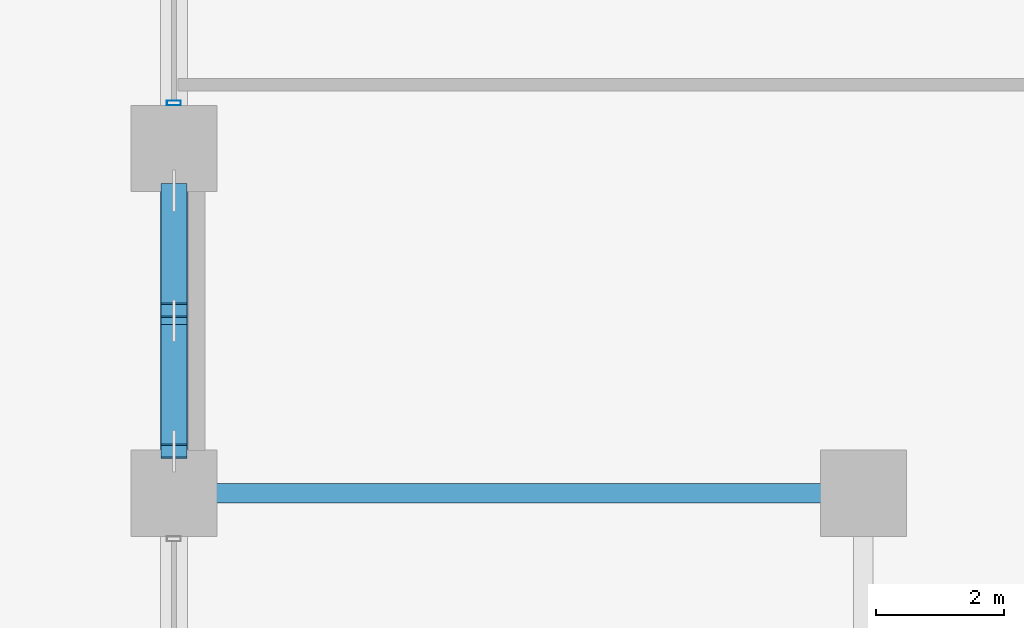
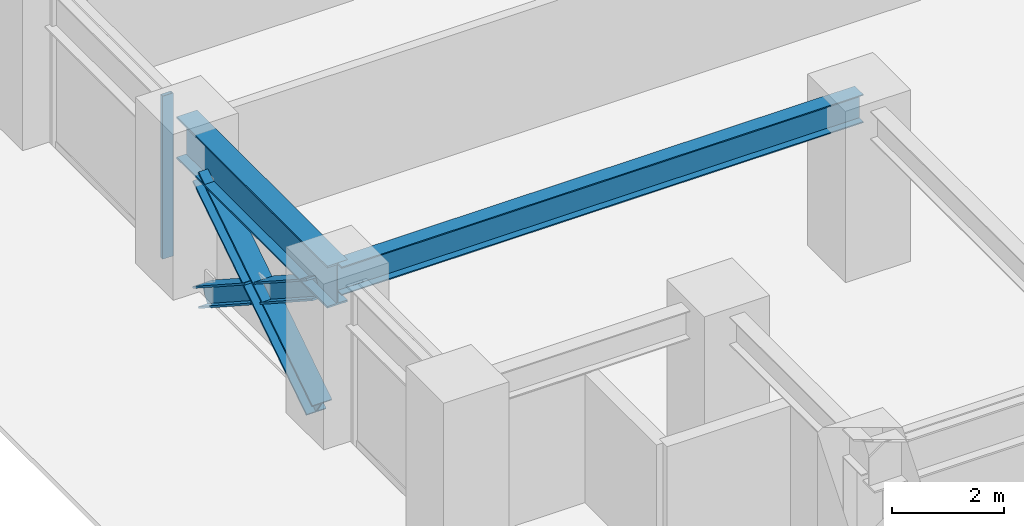
# One storey, part 3 of 27: 4 members, 2 beams, 1 element without a shape of its own.
"""IFC4 building model written with IfcOpenShell, lengths in metres."""

from ifc_helpers import new_model, si_unit, direction, frame, origin, origin_2d, place, context, subcontext, project, spatial, hollow_rectangle, i_section, extrude, material, layer, layer_set, material_profile, profile_set, type_object, element, aggregate, save


model = new_model("IFC4")

# Units and contexts
model_context = context("Model", 3, precision=1e-05, world=origin(), true_north=direction((0.0, 1.0)))
body_context = subcontext(model_context, "Body", "Model", "MODEL_VIEW")
ifc_project = project(units=[si_unit("LENGTHUNIT", "METRE"), si_unit("AREAUNIT", "SQUARE_METRE"), si_unit("VOLUMEUNIT", "CUBIC_METRE"), si_unit("PLANEANGLEUNIT", "RADIAN"), si_unit("MASSUNIT", "GRAM", prefix="KILO")], contexts=[model_context])

# Site, building, storey
site_placement = place(None, origin())
site = spatial("IfcSite", under=ifc_project, at=site_placement, CompositionType="ELEMENT")
building_placement = place(site_placement, origin())
building = spatial("IfcBuilding", under=site, at=building_placement, Name="Surkhivell Harbour Commons", CompositionType="ELEMENT")
storey_placement = place(building_placement, frame((0.0, 0.0, 22.5)))
storey = spatial("IfcBuildingStorey", under=building, at=storey_placement, Name="L05", CompositionType="ELEMENT", Elevation=22.5)

# Beams
ifc_material_1 = material(Name="Steel S355", Category="steel")
ifc_material_profile_1 = material_profile(ifc_material_1, i_section(OverallWidth=0.306884765625, OverallDepth=0.6201171875, WebThickness=0.01416015625, FlangeThickness=0.023681640625, at=origin_2d()), Name="UB610x305x179")
ifc_profile_set_1 = profile_set([ifc_material_profile_1], Name="Steel S355")
beam_type_1 = type_object("IfcBeamType", Name="BM-GRD-610A", PredefinedType="BEAM", material=ifc_profile_set_1)
beam_1_placement = place(storey_placement, frame((-32.39990234375, -16.199951171875, 3.260009765625), z_axis=(1.0, 0.0, 0.0), x_axis=(0.0, 1.0, 0.0)))
element("IfcBeam", 1, at=beam_1_placement, inside=storey, type_object=beam_type_1, Name="L05 Floor Girder (-32.4,-16.2)", PredefinedType="BEAM", context=body_context, shape_type="SweptSolid", body=[
    extrude(i_section(OverallWidth=0.306884765625, OverallDepth=0.6201171875, WebThickness=0.01416015625, FlangeThickness=0.023681640625, at=origin_2d()), origin(), (0.0, 0.0, 1.0), 10.7998046875),
])
ifc_material_2 = material(Name="Steel S460", Category="steel")
ifc_material_profile_2 = material_profile(ifc_material_2, i_section(OverallWidth=0.419921875, OverallDepth=0.9208984375, WebThickness=0.021484375, FlangeThickness=0.03662109375, at=origin_2d()), Name="UB914x419x388")
ifc_profile_set_2 = profile_set([ifc_material_profile_2], Name="Steel S460")
beam_type_2 = type_object("IfcBeamType", Name="BM-SPN-914A", PredefinedType="SPANDREL", material=ifc_profile_set_2)
beam_2_placement = place(storey_placement, frame((-32.39990234375, -16.199951171875, 3.109619140625), z_axis=(0.0, 1.0, 0.0), x_axis=(-1.0, 0.0, 0.0)))
element("IfcBeam", 2, at=beam_2_placement, inside=storey, type_object=beam_type_2, Name="L05 Tube Spandrel (-32.4,-16.2)", PredefinedType="SPANDREL", context=body_context, shape_type="SweptSolid", body=[
    extrude(i_section(OverallWidth=0.419921875, OverallDepth=0.9208984375, WebThickness=0.021484375, FlangeThickness=0.03662109375, at=origin_2d()), origin(), (0.0, 0.0, 1.0), 5.39990234375),
])

# Curtain wall, member
ifc_material_3 = material(Name="Anodised pale-metal aluminium and insulated glazing", Category="aluminium")
ifc_layer = layer(ifc_material_3, 0.219970703125)
ifc_layer_set = layer_set([ifc_layer], Name="Anodised pale-metal aluminium and insulated glazing")
curtain_wall_type = type_object("IfcCurtainWallType", Name="CW-SYS-Z1", PredefinedType="NOTDEFINED", material=ifc_layer_set)
curtain_wall_placement = place(storey_placement, origin())
curtain_wall = element("IfcCurtainWall", 3, at=curtain_wall_placement, inside=storey, type_object=curtain_wall_type, Name="L05 Curtain Wall CW-L05-E12S1", PredefinedType="NOTDEFINED")
ifc_material_4 = material(Name="Anodised pale-metal aluminium alloy 6063-T6", Category="aluminium")
ifc_material_profile_3 = material_profile(ifc_material_4, hollow_rectangle(XDim=0.074951171875, YDim=0.219970703125, WallThickness=0.00390625, at=origin_2d()), Name="ALU-MULL-75x220")
ifc_profile_set_3 = profile_set([ifc_material_profile_3], Name="Anodised pale-metal aluminium alloy 6063-T6")
member_type_1 = type_object("IfcMemberType", Name="CWM-220", PredefinedType="MULLION", material=ifc_profile_set_3)
member_1_placement = place(storey_placement, frame((-32.39990234375, -10.08544921875, 0.0), z_axis=(0.0, 0.0, 1.0), x_axis=(0.0, -1.0, 0.0)))
member_1 = element("IfcMember", 4, at=member_1_placement, type_object=member_type_1, Name="CW-Z1 mullion 7", PredefinedType="MULLION", context=body_context, shape_type="SweptSolid", body=[
    extrude(hollow_rectangle(XDim=0.074951171875, YDim=0.219970703125, WallThickness=0.00390625, at=origin_2d()), origin(), (0.0, 0.0, 1.0), 3.570068359375),
])
aggregate(curtain_wall, [member_1])

# Members
ifc_material_profile_4 = material_profile(ifc_material_2, i_section(OverallWidth=0.406005859375, OverallDepth=0.416015625, WebThickness=0.026611328125, FlangeThickness=0.0390625, at=origin_2d()), Name="HD400x382")
ifc_profile_set_4 = profile_set([ifc_material_profile_4], Name="Steel S460")
member_type_2 = type_object("IfcMemberType", Name="MEM-BRC-HD382", PredefinedType="BRACE", material=ifc_profile_set_4)
member_2_placement = place(storey_placement, frame((-32.39990234375, -15.5400390625, 0.008056640625), z_axis=(0.0, 0.83910375559, 0.543971403067), x_axis=(-1.0, 0.0, 0.0)))
element("IfcMember", 5, at=member_2_placement, inside=storey, type_object=member_type_2, Name="L05 Perimeter Mega-Brace MB- 10", PredefinedType="BRACE", context=body_context, shape_type="SweptSolid", body=[
    extrude(i_section(OverallWidth=0.406005859375, OverallDepth=0.416015625, WebThickness=0.026611328125, FlangeThickness=0.0390625, at=origin_2d()), origin(), (0.0, 0.0, 1.0), 4.8623046875),
])
for number, where, z_axis, x_axis, name in (
    (6, (-32.39990234375, -11.4599609375, 0.008056640625), (0.0, -0.839117847051, 0.54394966565), (1.0, 0.0, 0.0), "L05 Perimeter Mega-Brace MB- 11"),
    (7, (-32.39990234375, -13.66748046875, 1.439208984375), (0.0, -0.839117847051, 0.54394966565), (1.0, 0.0, 0.0), "L05 Perimeter Mega-Brace MB- 12"),
):
    element("IfcMember", number, at=place(storey_placement, frame(where, z_axis=z_axis, x_axis=x_axis)), inside=storey, type_object=member_type_2, Name=name, PredefinedType="BRACE", context=body_context, shape_type="SweptSolid", body=[
        extrude(i_section(OverallWidth=0.406005859375, OverallDepth=0.416015625, WebThickness=0.026611328125, FlangeThickness=0.0390625, at=origin_2d()), origin(), (0.0, 0.0, 1.0), 2.231689453125),
    ])

save(model, "model.ifc")
